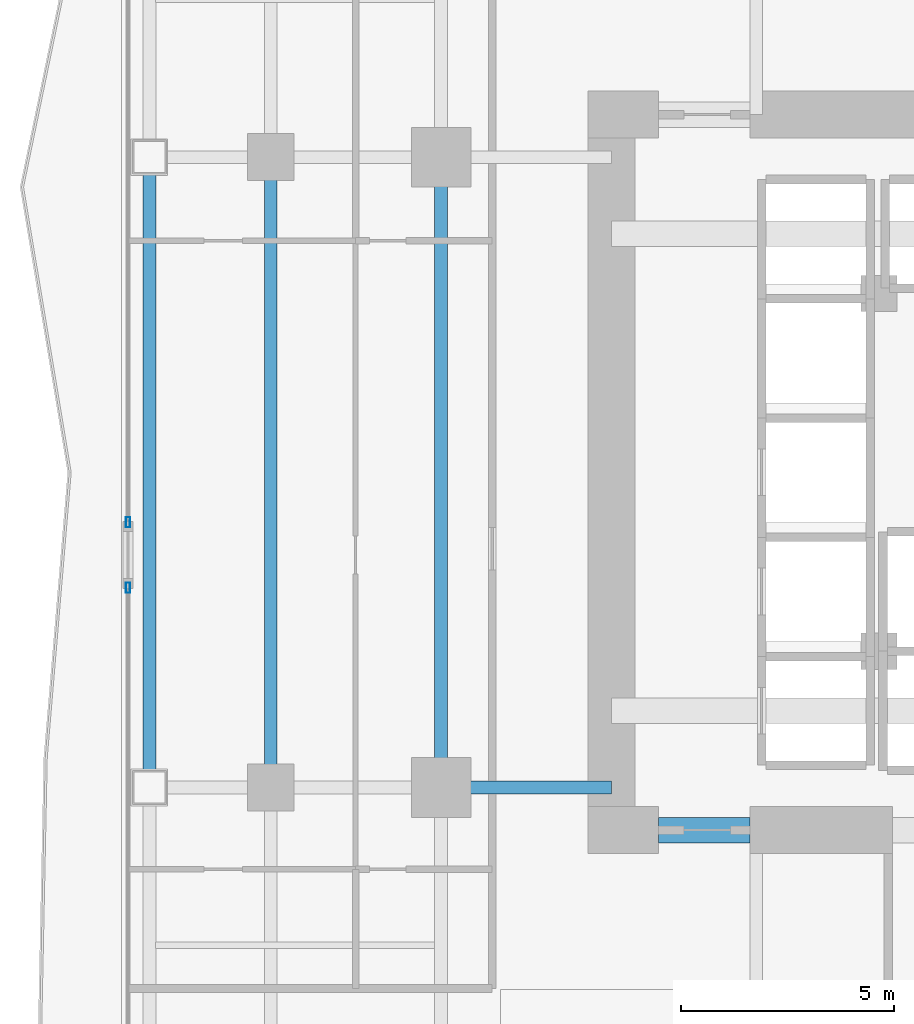
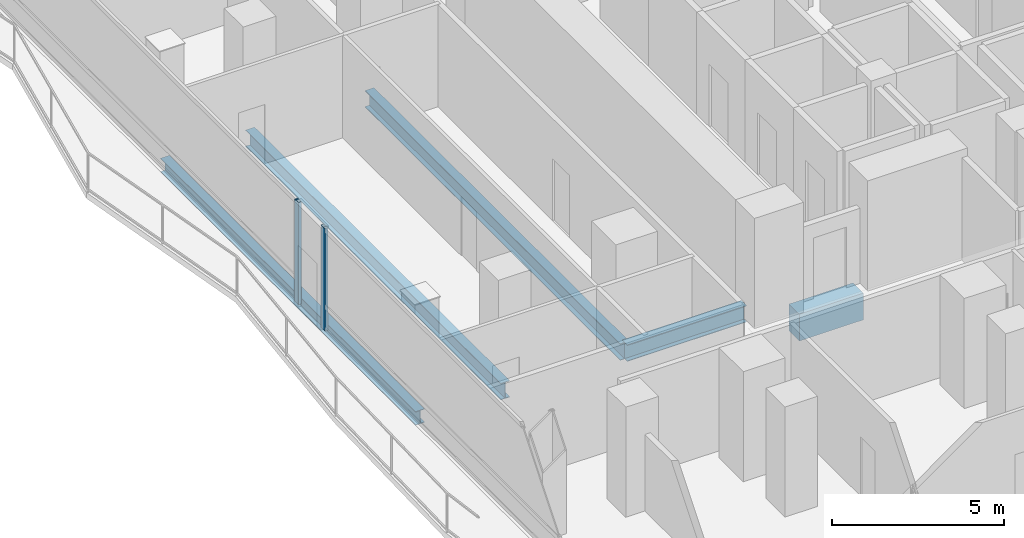
# One storey, part 6 of 27: 5 beams, 2 members, 2 elements without a shape of their own.
"""IFC4 building model written with IfcOpenShell, lengths in metres."""

from ifc_helpers import new_model, si_unit, direction, frame, origin, origin_2d, place, context, subcontext, project, spatial, rectangle, hollow_rectangle, i_section, extrude, material, layer, layer_set, material_profile, profile_set, type_object, element, aggregate, save


model = new_model("IFC4")

# Units and contexts
model_context = context("Model", 3, precision=1e-05, world=origin(), true_north=direction((0.0, 1.0)))
body_context = subcontext(model_context, "Body", "Model", "MODEL_VIEW")
ifc_project = project(units=[si_unit("LENGTHUNIT", "METRE"), si_unit("AREAUNIT", "SQUARE_METRE"), si_unit("VOLUMEUNIT", "CUBIC_METRE"), si_unit("PLANEANGLEUNIT", "RADIAN"), si_unit("MASSUNIT", "GRAM", prefix="KILO")], contexts=[model_context])

# Site, building, storey
site_placement = place(None, origin())
site = spatial("IfcSite", under=ifc_project, at=site_placement, CompositionType="ELEMENT")
building_placement = place(site_placement, origin())
building = spatial("IfcBuilding", under=site, at=building_placement, Name="Khorvyn Point Tower", CompositionType="ELEMENT")
storey_placement = place(building_placement, frame((0.0, 0.0, 50.10009765625)))
storey = spatial("IfcBuildingStorey", under=building, at=storey_placement, Name="L13", CompositionType="ELEMENT", Elevation=50.10009765625)

# Curtain wall, member
ifc_material_1 = material(Name="Anodised aluminium 6063-T6 and laminated Low-E glass", Category="aluminium")
ifc_layer = layer(ifc_material_1, 0.18994140625)
ifc_layer_set = layer_set([ifc_layer], Name="Stick-Built Finned Residential Curtain Wall CW-SYS-02")
curtain_wall_type = type_object("IfcCurtainWallType", Name="Stick-Built Finned Residential Curtain Wall CW-SYS-02", PredefinedType="NOTDEFINED", material=ifc_layer_set)
curtain_wall_1_placement = place(storey_placement, origin())
curtain_wall_1 = element("IfcCurtainWall", 1, at=curtain_wall_1_placement, inside=storey, type_object=curtain_wall_type, Name="Curtain Wall", PredefinedType="NOTDEFINED")
ifc_material_2 = material(Name="Anodised aluminium 6063-T6", Category="aluminium")
ifc_material_profile_1 = material_profile(ifc_material_2, hollow_rectangle(XDim=0.10009765625, YDim=0.239990234375, WallThickness=0.0048828125, at=origin_2d()))
ifc_profile_set_1 = profile_set([ifc_material_profile_1], Name="Anodised aluminium 6063-T6 ALU-MUL-100x240")
member_type = type_object("IfcMemberType", Name="Anodised Aluminium 6063-T6 Mullion ALU-MUL-100x240", PredefinedType="MULLION", material=ifc_profile_set_1)
member_1_placement = place(storey_placement, frame((-22.14990234375, -2.7119140625, 0.0), z_axis=(0.0, 0.0, 1.0), x_axis=(-1.0, 0.0, 0.0)))
member_1 = element("IfcMember", 2, at=member_1_placement, type_object=member_type, Name="Transom", PredefinedType="MULLION", context=body_context, shape_type="SweptSolid", body=[
    extrude(hollow_rectangle(XDim=0.10009765625, YDim=0.239990234375, WallThickness=0.0048828125, at=origin_2d()), origin(), (0.0, 0.0, 1.0), 3.619873046875),
])
aggregate(curtain_wall_1, [member_1])

curtain_wall_2_placement = place(storey_placement, origin())
curtain_wall_2 = element("IfcCurtainWall", 3, at=curtain_wall_2_placement, inside=storey, type_object=curtain_wall_type, Name="Curtain Wall", PredefinedType="NOTDEFINED")
member_2_placement = place(storey_placement, frame((-22.14990234375, -1.172119140625, 0.0), z_axis=(0.0, 0.0, 1.0), x_axis=(-1.0, 0.0, 0.0)))
member_2 = element("IfcMember", 4, at=member_2_placement, type_object=member_type, Name="Transom", PredefinedType="MULLION", context=body_context, shape_type="SweptSolid", body=[
    extrude(hollow_rectangle(XDim=0.10009765625, YDim=0.239990234375, WallThickness=0.0048828125, at=origin_2d()), origin(), (0.0, 0.0, 1.0), 3.619873046875),
])
aggregate(curtain_wall_2, [member_2])

# Beams
ifc_material_3 = material(Name="Concrete C50/60", Category="concrete")
ifc_material_profile_2 = material_profile(ifc_material_3, rectangle(XDim=0.60009765625, YDim=0.949951171875, at=origin_2d()))
ifc_profile_set_2 = profile_set([ifc_material_profile_2], Name="Concrete C50/60 RC600x950")
beam_type_1 = type_object("IfcBeamType", Name="Concrete C50/60 Beam RC600x950", PredefinedType="BEAM", material=ifc_profile_set_2)
beam_1_placement = place(storey_placement, frame((-9.699951171875, -8.39990234375, -0.695068359375), z_axis=(1.0, 0.0, 0.0), x_axis=(0.0, 1.0, 0.0)))
element("IfcBeam", 5, at=beam_1_placement, inside=storey, type_object=beam_type_1, Name="L13 Core Southwest Portal Coupling Beam", PredefinedType="BEAM", context=body_context, shape_type="SweptSolid", body=[
    extrude(rectangle(XDim=0.60009765625, YDim=0.949951171875, at=origin_2d()), origin(), (0.0, 0.0, 1.0), 2.14990234375),
])
ifc_material_4 = material(Name="Steel S355", Category="steel")
ifc_material_profile_3 = material_profile(ifc_material_4, i_section(OverallWidth=0.300048828125, OverallDepth=0.587890625, WebThickness=0.011962890625, FlangeThickness=0.02001953125, at=origin_2d()))
ifc_profile_set_3 = profile_set([ifc_material_profile_3], Name="Steel S355 H588x300x12x20")
beam_type_2 = type_object("IfcBeamType", Name="Steel S355 Beam H588x300x12x20", PredefinedType="BEAM", material=ifc_profile_set_3)
beam_2_placement = place(storey_placement, frame((-14.800048828125, -7.39990234375, -0.51416015625), z_axis=(1.0, 0.0, 0.0), x_axis=(0.0, 1.0, 0.0)))
element("IfcBeam", 6, at=beam_2_placement, inside=storey, type_object=beam_type_2, Name="Beam", PredefinedType="BEAM", context=body_context, shape_type="SweptSolid", body=[
    extrude(i_section(OverallWidth=0.300048828125, OverallDepth=0.587890625, WebThickness=0.011962890625, FlangeThickness=0.02001953125, at=origin_2d()), origin(), (0.0, 0.0, 1.0), 4.0),
])
for number, where, z_axis, x_axis, name in (
    (7, (-14.800048828125, -7.39990234375, -0.51416015625), (0.0, 1.0, 0.0), (-1.0, 0.0, 0.0), "Beam"),
    (8, (-18.800048828125, -7.39990234375, -0.51416015625), (0.0, 1.0, 0.0), (-1.0, 0.0, 0.0), "Beam"),
):
    element("IfcBeam", number, at=place(storey_placement, frame(where, z_axis=z_axis, x_axis=x_axis)), inside=storey, type_object=beam_type_2, Name=name, PredefinedType="BEAM", context=body_context, shape_type="SweptSolid", body=[
        extrude(i_section(OverallWidth=0.300048828125, OverallDepth=0.587890625, WebThickness=0.011962890625, FlangeThickness=0.02001953125, at=origin_2d()), origin(), (0.0, 0.0, 1.0), 14.7998046875),
    ])
ifc_material_profile_4 = material_profile(ifc_material_4, i_section(OverallWidth=0.300048828125, OverallDepth=0.488037109375, WebThickness=0.010986328125, FlangeThickness=0.01806640625, at=origin_2d()))
ifc_profile_set_4 = profile_set([ifc_material_profile_4], Name="Steel S355 H488x300x11x18")
beam_type_3 = type_object("IfcBeamType", Name="Steel S355 Spandrel H488x300x11x18", PredefinedType="SPANDREL", material=ifc_profile_set_4)
beam_3_placement = place(storey_placement, frame((-21.64990234375, -7.39990234375, -0.464111328125), z_axis=(0.0, 1.0, 0.0), x_axis=(-1.0, 0.0, 0.0)))
element("IfcBeam", 9, at=beam_3_placement, inside=storey, type_object=beam_type_3, Name="Beam", PredefinedType="SPANDREL", context=body_context, shape_type="SweptSolid", body=[
    extrude(i_section(OverallWidth=0.300048828125, OverallDepth=0.488037109375, WebThickness=0.010986328125, FlangeThickness=0.01806640625, at=origin_2d()), origin(), (0.0, 0.0, 1.0), 14.7998046875),
])

save(model, "model.ifc")
